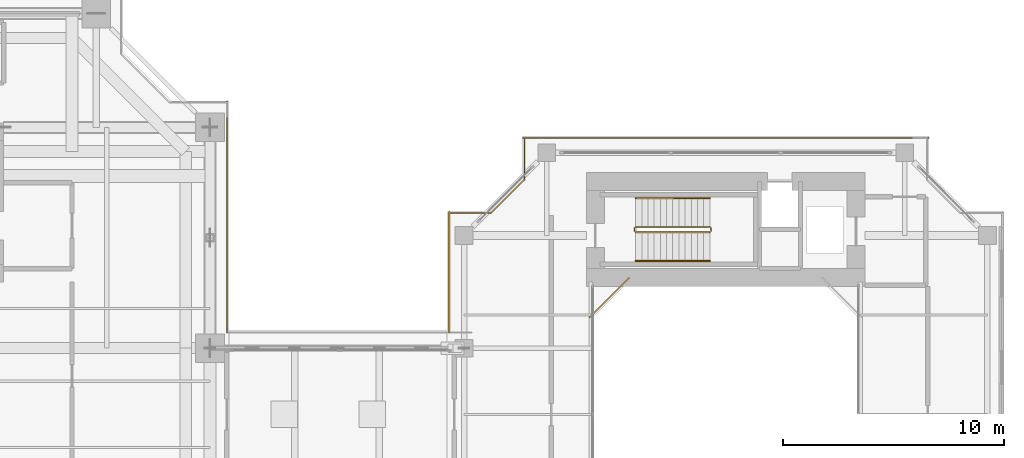
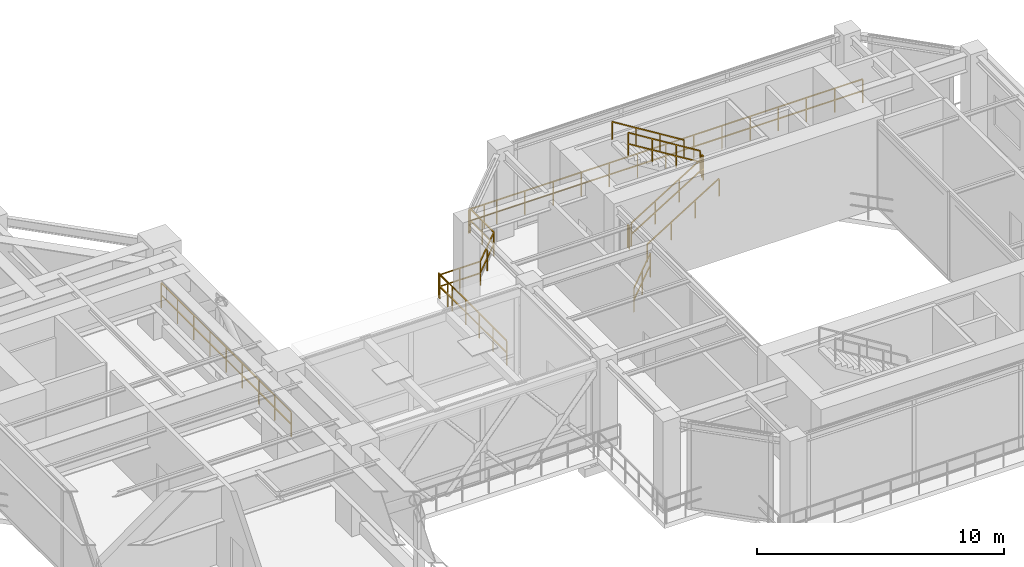
# One storey, part 24 of 25: 11 railings.
"""IFC4 building model written with IfcOpenShell, lengths in metres."""

from ifc_helpers import new_model, si_unit, direction, frame, origin, origin_2d, place, context, subcontext, project, spatial, rectangle, extrude, material, type_object, element, save


model = new_model("IFC4")

# Units and contexts
model_context = context("Model", 3, precision=1e-05, world=origin(), true_north=direction((0.0, 1.0)))
body_context = subcontext(model_context, "Body", "Model", "MODEL_VIEW")
ifc_project = project(units=[si_unit("LENGTHUNIT", "METRE"), si_unit("AREAUNIT", "SQUARE_METRE"), si_unit("VOLUMEUNIT", "CUBIC_METRE"), si_unit("PLANEANGLEUNIT", "RADIAN"), si_unit("MASSUNIT", "GRAM", prefix="KILO"), si_unit("THERMODYNAMICTEMPERATUREUNIT", "KELVIN"), si_unit("POWERUNIT", "WATT")], contexts=[model_context])

# Site, building, storey
site_placement = place(None, origin())
site = spatial("IfcSite", under=ifc_project, at=site_placement, CompositionType="ELEMENT")
building_placement = place(site_placement, origin())
building = spatial("IfcBuilding", under=site, at=building_placement, Name="Qiaomeng Ring Towers", CompositionType="ELEMENT")
storey_placement = place(building_placement, frame((0.0, 0.0, 92.5)))
storey = spatial("IfcBuildingStorey", under=building, at=storey_placement, Name="L26", CompositionType="ELEMENT", Elevation=92.5)

# Railings
ifc_material_1 = material(Name="Low-E pale-green laminated safety glass", Category="glass")
railing_type_1 = type_object("IfcRailingType", Name="ARC-RL-BAL1", PredefinedType="BALUSTRADE", material=ifc_material_1)
railing_1_placement = place(storey_placement, frame((56.1201171875, 29.179931640625, 0.0)))
element("IfcRailing", 1, at=railing_1_placement, inside=storey, type_object=railing_type_1, Name="L26 Balustrade ARC-BAL-WELL2-L26-3", PredefinedType="BALUSTRADE", context=body_context, shape_type="SweptSolid", body=[
    extrude(rectangle(XDim=0.048095703125, YDim=0.048095703125, at=origin_2d()), frame((0.0, 0.0, 1.17578125), z_axis=(-0.707106781187, -0.707106781187, 0.0), x_axis=(0.707106781187, -0.707106781187, 0.0)), (0.0, 0.0, 1.0), 2.545654296875),
    extrude(rectangle(XDim=0.048095703125, YDim=0.048095703125, at=origin_2d()), frame((0.0, 0.0, 0.60009765625), z_axis=(-0.707106781187, -0.707106781187, 0.0), x_axis=(0.707106781187, -0.707106781187, 0.0)), (0.0, 0.0, 1.0), 2.545654296875),
    extrude(rectangle(XDim=0.0419921875, YDim=0.0419921875, at=origin_2d()), origin(), (0.0, 0.0, 1.0), 1.15185546875),
    extrude(rectangle(XDim=0.0419921875, YDim=0.0419921875, at=origin_2d()), frame((-0.89990234375, -0.89990234375, 0.0)), (0.0, 0.0, 1.0), 1.15185546875),
    extrude(rectangle(XDim=0.0419921875, YDim=0.0419921875, at=origin_2d()), frame((-1.800048828125, -1.800048828125, 0.0)), (0.0, 0.0, 1.0), 1.15185546875),
])
railing_2_placement = place(storey_placement, frame((52.030029296875, 35.52001953125, 0.0)))
element("IfcRailing", 2, at=railing_2_placement, inside=storey, type_object=railing_type_1, Name="L26 Balustrade ARC-BAL-NOTCH2-L26-NW", PredefinedType="BALUSTRADE", context=body_context, shape_type="SweptSolid", body=[
    extrude(rectangle(XDim=0.048095703125, YDim=0.048095703125, at=origin_2d()), frame((0.0, 0.0, 1.17578125), z_axis=(-1.0, 0.0, 0.0), x_axis=(0.0, -1.0, 0.0)), (0.0, 0.0, 1.0), 0.650146484375),
    extrude(rectangle(XDim=0.048095703125, YDim=0.048095703125, at=origin_2d()), frame((0.0, 0.0, 0.60009765625), z_axis=(-1.0, 0.0, 0.0), x_axis=(0.0, -1.0, 0.0)), (0.0, 0.0, 1.0), 0.650146484375),
    extrude(rectangle(XDim=0.048095703125, YDim=0.048095703125, at=origin_2d()), frame((-0.650146484375, 0.0, 1.17578125), z_axis=(0.0, -1.0, 0.0), x_axis=(1.0, 0.0, 0.0)), (0.0, 0.0, 1.0), 1.89990234375),
    extrude(rectangle(XDim=0.048095703125, YDim=0.048095703125, at=origin_2d()), frame((-0.650146484375, 0.0, 0.60009765625), z_axis=(0.0, -1.0, 0.0), x_axis=(1.0, 0.0, 0.0)), (0.0, 0.0, 1.0), 1.89990234375),
    extrude(rectangle(XDim=0.048095703125, YDim=0.048095703125, at=origin_2d()), frame((-0.650146484375, -1.89990234375, 1.17578125), z_axis=(-0.707106781187, -0.707106781187, 0.0), x_axis=(0.707106781187, -0.707106781187, 0.0)), (0.0, 0.0, 1.0), 2.121337890625),
    extrude(rectangle(XDim=0.048095703125, YDim=0.048095703125, at=origin_2d()), frame((-0.650146484375, -1.89990234375, 0.60009765625), z_axis=(-0.707106781187, -0.707106781187, 0.0), x_axis=(0.707106781187, -0.707106781187, 0.0)), (0.0, 0.0, 1.0), 2.121337890625),
    extrude(rectangle(XDim=0.048095703125, YDim=0.048095703125, at=origin_2d()), frame((-2.150146484375, -3.39990234375, 1.17578125), z_axis=(-1.0, 0.0, 0.0), x_axis=(0.0, -1.0, 0.0)), (0.0, 0.0, 1.0), 1.89990234375),
    extrude(rectangle(XDim=0.048095703125, YDim=0.048095703125, at=origin_2d()), frame((-2.150146484375, -3.39990234375, 0.60009765625), z_axis=(-1.0, 0.0, 0.0), x_axis=(0.0, -1.0, 0.0)), (0.0, 0.0, 1.0), 1.89990234375),
    extrude(rectangle(XDim=0.048095703125, YDim=0.048095703125, at=origin_2d()), frame((-4.050048828125, -3.39990234375, 1.17578125), z_axis=(0.0, -1.0, 0.0), x_axis=(1.0, 0.0, 0.0)), (0.0, 0.0, 1.0), 0.650146484375),
    extrude(rectangle(XDim=0.048095703125, YDim=0.048095703125, at=origin_2d()), frame((-4.050048828125, -3.39990234375, 0.60009765625), z_axis=(0.0, -1.0, 0.0), x_axis=(1.0, 0.0, 0.0)), (0.0, 0.0, 1.0), 0.650146484375),
    extrude(rectangle(XDim=0.0419921875, YDim=0.0419921875, at=origin_2d()), origin(), (0.0, 0.0, 1.0), 1.15185546875),
    extrude(rectangle(XDim=0.0419921875, YDim=0.0419921875, at=origin_2d()), frame((-0.650146484375, 0.0, 0.0)), (0.0, 0.0, 1.0), 1.15185546875),
    extrude(rectangle(XDim=0.0419921875, YDim=0.0419921875, at=origin_2d()), frame((-0.650146484375, -0.949951171875, 0.0)), (0.0, 0.0, 1.0), 1.15185546875),
    extrude(rectangle(XDim=0.0419921875, YDim=0.0419921875, at=origin_2d()), frame((-0.650146484375, -1.89990234375, 0.0)), (0.0, 0.0, 1.0), 1.15185546875),
    extrude(rectangle(XDim=0.0419921875, YDim=0.0419921875, at=origin_2d()), frame((-1.400146484375, -2.64990234375, 0.0)), (0.0, 0.0, 1.0), 1.15185546875),
    extrude(rectangle(XDim=0.0419921875, YDim=0.0419921875, at=origin_2d()), frame((-2.150146484375, -3.39990234375, 0.0)), (0.0, 0.0, 1.0), 1.15185546875),
    extrude(rectangle(XDim=0.0419921875, YDim=0.0419921875, at=origin_2d()), frame((-3.10009765625, -3.39990234375, 0.0)), (0.0, 0.0, 1.0), 1.15185546875),
    extrude(rectangle(XDim=0.0419921875, YDim=0.0419921875, at=origin_2d()), frame((-4.050048828125, -3.39990234375, 0.0)), (0.0, 0.0, 1.0), 1.15185546875),
    extrude(rectangle(XDim=0.0419921875, YDim=0.0419921875, at=origin_2d()), frame((-4.050048828125, -4.050048828125, 0.0)), (0.0, 0.0, 1.0), 1.15185546875),
])
railing_3_placement = place(storey_placement, frame((51.300048828125, 35.52001953125, 0.0)))
element("IfcRailing", 3, at=railing_3_placement, inside=storey, type_object=railing_type_1, Name="L26 Balustrade ARC-BAL-T2N-L26", PredefinedType="BALUSTRADE", context=body_context, shape_type="SweptSolid", body=[
    extrude(rectangle(XDim=0.048095703125, YDim=0.048095703125, at=origin_2d()), frame((0.0, 0.0, 1.17578125), z_axis=(1.0, 0.0, 0.0), x_axis=(0.0, 1.0, 0.0)), (0.0, 0.0, 1.0), 18.39990234375),
    extrude(rectangle(XDim=0.048095703125, YDim=0.048095703125, at=origin_2d()), frame((0.0, 0.0, 0.60009765625), z_axis=(1.0, 0.0, 0.0), x_axis=(0.0, 1.0, 0.0)), (0.0, 0.0, 1.0), 18.39990234375),
    extrude(rectangle(XDim=0.0419921875, YDim=0.0419921875, at=origin_2d()), origin(), (0.0, 0.0, 1.0), 1.15185546875),
    extrude(rectangle(XDim=0.0419921875, YDim=0.0419921875, at=origin_2d()), frame((1.314208984375, 0.0, 0.0)), (0.0, 0.0, 1.0), 1.15185546875),
    extrude(rectangle(XDim=0.0419921875, YDim=0.0419921875, at=origin_2d()), frame((2.628662109375, 0.0, 0.0)), (0.0, 0.0, 1.0), 1.15185546875),
    extrude(rectangle(XDim=0.0419921875, YDim=0.0419921875, at=origin_2d()), frame((3.94287109375, 0.0, 0.0)), (0.0, 0.0, 1.0), 1.15185546875),
    extrude(rectangle(XDim=0.0419921875, YDim=0.0419921875, at=origin_2d()), frame((5.257080078125, 0.0, 0.0)), (0.0, 0.0, 1.0), 1.15185546875),
    extrude(rectangle(XDim=0.0419921875, YDim=0.0419921875, at=origin_2d()), frame((6.5712890625, 0.0, 0.0)), (0.0, 0.0, 1.0), 1.15185546875),
    extrude(rectangle(XDim=0.0419921875, YDim=0.0419921875, at=origin_2d()), frame((7.8857421875, 0.0, 0.0)), (0.0, 0.0, 1.0), 1.15185546875),
    extrude(rectangle(XDim=0.0419921875, YDim=0.0419921875, at=origin_2d()), frame((9.199951171875, 0.0, 0.0)), (0.0, 0.0, 1.0), 1.15185546875),
    extrude(rectangle(XDim=0.0419921875, YDim=0.0419921875, at=origin_2d()), frame((10.51416015625, 0.0, 0.0)), (0.0, 0.0, 1.0), 1.15185546875),
    extrude(rectangle(XDim=0.0419921875, YDim=0.0419921875, at=origin_2d()), frame((11.82861328125, 0.0, 0.0)), (0.0, 0.0, 1.0), 1.15185546875),
    extrude(rectangle(XDim=0.0419921875, YDim=0.0419921875, at=origin_2d()), frame((13.142822265625, 0.0, 0.0)), (0.0, 0.0, 1.0), 1.15185546875),
    extrude(rectangle(XDim=0.0419921875, YDim=0.0419921875, at=origin_2d()), frame((14.45703125, 0.0, 0.0)), (0.0, 0.0, 1.0), 1.15185546875),
    extrude(rectangle(XDim=0.0419921875, YDim=0.0419921875, at=origin_2d()), frame((15.771240234375, 0.0, 0.0)), (0.0, 0.0, 1.0), 1.15185546875),
    extrude(rectangle(XDim=0.0419921875, YDim=0.0419921875, at=origin_2d()), frame((17.085693359375, 0.0, 0.0)), (0.0, 0.0, 1.0), 1.15185546875),
    extrude(rectangle(XDim=0.0419921875, YDim=0.0419921875, at=origin_2d()), frame((18.39990234375, 0.0, 0.0)), (0.0, 0.0, 1.0), 1.15185546875),
])
ifc_material_2 = material(Name="Stainless steel 316", Category="steel")
railing_type_2 = type_object("IfcRailingType", Name="ARC-RL-BAL2", PredefinedType="BALUSTRADE", material=ifc_material_2)
railing_4_placement = place(storey_placement, frame((37.919921875, 26.699951171875, 0.0)))
element("IfcRailing", 4, at=railing_4_placement, inside=storey, type_object=railing_type_2, Name="L26 Balustrade ARC-BAL-REF-EN-L26", PredefinedType="BALUSTRADE", context=body_context, shape_type="SweptSolid", body=[
    extrude(rectangle(XDim=0.048095703125, YDim=0.048095703125, at=origin_2d()), frame((0.0, 0.0, 1.22607421875), z_axis=(0.0, 1.0, 0.0), x_axis=(-1.0, 0.0, 0.0)), (0.0, 0.0, 1.0), 10.5),
    extrude(rectangle(XDim=0.048095703125, YDim=0.048095703125, at=origin_2d()), frame((0.0, 0.0, 0.625), z_axis=(0.0, 1.0, 0.0), x_axis=(-1.0, 0.0, 0.0)), (0.0, 0.0, 1.0), 10.5),
    extrude(rectangle(XDim=0.0419921875, YDim=0.0419921875, at=origin_2d()), origin(), (0.0, 0.0, 1.0), 1.201904296875),
    extrude(rectangle(XDim=0.0419921875, YDim=0.0419921875, at=origin_2d()), frame((0.0, 1.3125, 0.0)), (0.0, 0.0, 1.0), 1.201904296875),
    extrude(rectangle(XDim=0.0419921875, YDim=0.0419921875, at=origin_2d()), frame((0.0, 2.625, 0.0)), (0.0, 0.0, 1.0), 1.201904296875),
    extrude(rectangle(XDim=0.0419921875, YDim=0.0419921875, at=origin_2d()), frame((0.0, 3.9375, 0.0)), (0.0, 0.0, 1.0), 1.201904296875),
    extrude(rectangle(XDim=0.0419921875, YDim=0.0419921875, at=origin_2d()), frame((0.0, 5.25, 0.0)), (0.0, 0.0, 1.0), 1.201904296875),
    extrude(rectangle(XDim=0.0419921875, YDim=0.0419921875, at=origin_2d()), frame((0.0, 6.5625, 0.0)), (0.0, 0.0, 1.0), 1.201904296875),
    extrude(rectangle(XDim=0.0419921875, YDim=0.0419921875, at=origin_2d()), frame((0.0, 7.875, 0.0)), (0.0, 0.0, 1.0), 1.201904296875),
    extrude(rectangle(XDim=0.0419921875, YDim=0.0419921875, at=origin_2d()), frame((0.0, 9.1875, 0.0)), (0.0, 0.0, 1.0), 1.201904296875),
    extrude(rectangle(XDim=0.0419921875, YDim=0.0419921875, at=origin_2d()), frame((0.0, 10.5, 0.0)), (0.0, 0.0, 1.0), 1.201904296875),
])
railing_5_placement = place(storey_placement, frame((47.97998046875, 26.699951171875, 0.0)))
element("IfcRailing", 5, at=railing_5_placement, inside=storey, type_object=railing_type_2, Name="L26 Balustrade ARC-BAL-T2WN-L26", PredefinedType="BALUSTRADE", context=body_context, shape_type="SweptSolid", body=[
    extrude(rectangle(XDim=0.048095703125, YDim=0.048095703125, at=origin_2d()), frame((0.0, 0.0, 1.22607421875), z_axis=(0.0, 1.0, 0.0), x_axis=(-1.0, 0.0, 0.0)), (0.0, 0.0, 1.0), 5.5),
    extrude(rectangle(XDim=0.048095703125, YDim=0.048095703125, at=origin_2d()), frame((0.0, 0.0, 0.625), z_axis=(0.0, 1.0, 0.0), x_axis=(-1.0, 0.0, 0.0)), (0.0, 0.0, 1.0), 5.5),
    extrude(rectangle(XDim=0.0419921875, YDim=0.0419921875, at=origin_2d()), origin(), (0.0, 0.0, 1.0), 1.201904296875),
    extrude(rectangle(XDim=0.0419921875, YDim=0.0419921875, at=origin_2d()), frame((0.0, 1.10009765625, 0.0)), (0.0, 0.0, 1.0), 1.201904296875),
    extrude(rectangle(XDim=0.0419921875, YDim=0.0419921875, at=origin_2d()), frame((0.0, 2.199951171875, 0.0)), (0.0, 0.0, 1.0), 1.201904296875),
    extrude(rectangle(XDim=0.0419921875, YDim=0.0419921875, at=origin_2d()), frame((0.0, 3.300048828125, 0.0)), (0.0, 0.0, 1.0), 1.201904296875),
    extrude(rectangle(XDim=0.0419921875, YDim=0.0419921875, at=origin_2d()), frame((0.0, 4.39990234375, 0.0)), (0.0, 0.0, 1.0), 1.201904296875),
    extrude(rectangle(XDim=0.0419921875, YDim=0.0419921875, at=origin_2d()), frame((0.0, 5.5, 0.0)), (0.0, 0.0, 1.0), 1.201904296875),
])
ifc_material_3 = material(Name="Galvanised steel", Category="steel")
railing_type_3 = type_object("IfcRailingType", Name="ARC-RL-GUARD", PredefinedType="GUARDRAIL", material=ifc_material_3)
railing_6_placement = place(storey_placement, frame((56.419921875, 31.25, 0.173095703125)))
element("IfcRailing", 6, at=railing_6_placement, inside=storey, type_object=railing_type_3, Name="L26 ST5 stair guard 1", PredefinedType="GUARDRAIL", context=body_context, shape_type="SweptSolid", body=[
    extrude(rectangle(XDim=0.048095703125, YDim=0.048095703125, at=origin_2d()), frame((0.0, 0.0, 1.1259765625), z_axis=(0.850623216509, 0.0, 0.525775754039), x_axis=(0.0, 1.0, 0.0)), (0.0, 0.0, 1.0), 3.9501953125),
    extrude(rectangle(XDim=0.048095703125, YDim=0.048095703125, at=origin_2d()), frame((0.0, 0.0, 0.574951171875), z_axis=(0.850623216509, 0.0, 0.525775754039), x_axis=(0.0, 1.0, 0.0)), (0.0, 0.0, 1.0), 3.9501953125),
    extrude(rectangle(XDim=0.0419921875, YDim=0.0419921875, at=origin_2d()), origin(), (0.0, 0.0, 1.0), 1.101806640625),
    extrude(rectangle(XDim=0.0419921875, YDim=0.0419921875, at=origin_2d()), frame((1.1201171875, 0.0, 0.6923828125)), (0.0, 0.0, 1.0), 1.101806640625),
    extrude(rectangle(XDim=0.0419921875, YDim=0.0419921875, at=origin_2d()), frame((2.239990234375, 0.0, 1.384521484375)), (0.0, 0.0, 1.0), 1.101806640625),
    extrude(rectangle(XDim=0.0419921875, YDim=0.0419921875, at=origin_2d()), frame((3.360107421875, 0.0, 2.076904296875)), (0.0, 0.0, 1.0), 1.101806640625),
])
railing_7_placement = place(storey_placement, frame((59.830078125, 31.300048828125, 2.25)))
element("IfcRailing", 7, at=railing_7_placement, inside=storey, type_object=railing_type_3, Name="L26 ST5 stair guard 2", PredefinedType="GUARDRAIL", context=body_context, shape_type="SweptSolid", body=[
    extrude(rectangle(XDim=0.048095703125, YDim=0.048095703125, at=origin_2d()), frame((0.0, 0.0, 1.1259765625), z_axis=(0.0, 1.0, 0.0), x_axis=(-1.0, 0.0, 0.0)), (0.0, 0.0, 1.0), 0.139892578125),
    extrude(rectangle(XDim=0.048095703125, YDim=0.048095703125, at=origin_2d()), frame((0.0, 0.0, 0.574951171875), z_axis=(0.0, 1.0, 0.0), x_axis=(-1.0, 0.0, 0.0)), (0.0, 0.0, 1.0), 0.139892578125),
    extrude(rectangle(XDim=0.0419921875, YDim=0.0419921875, at=origin_2d()), origin(), (0.0, 0.0, 1.0), 1.101806640625),
    extrude(rectangle(XDim=0.0419921875, YDim=0.0419921875, at=origin_2d()), frame((0.0, 0.139892578125, 0.0)), (0.0, 0.0, 1.0), 1.101806640625),
])
railing_8_placement = place(storey_placement, frame((59.780029296875, 31.489990234375, 2.423095703125)))
element("IfcRailing", 8, at=railing_8_placement, inside=storey, type_object=railing_type_3, Name="L26 ST5 stair guard 3", PredefinedType="GUARDRAIL", context=body_context, shape_type="SweptSolid", body=[
    extrude(rectangle(XDim=0.048095703125, YDim=0.048095703125, at=origin_2d()), frame((0.0, 0.0, 1.1259765625), z_axis=(-0.850623216509, 0.0, 0.525775754039), x_axis=(0.0, -1.0, 0.0)), (0.0, 0.0, 1.0), 3.9501953125),
    extrude(rectangle(XDim=0.048095703125, YDim=0.048095703125, at=origin_2d()), frame((0.0, 0.0, 0.574951171875), z_axis=(-0.850623216509, 0.0, 0.525775754039), x_axis=(0.0, -1.0, 0.0)), (0.0, 0.0, 1.0), 3.9501953125),
    extrude(rectangle(XDim=0.0419921875, YDim=0.0419921875, at=origin_2d()), origin(), (0.0, 0.0, 1.0), 1.101806640625),
    extrude(rectangle(XDim=0.0419921875, YDim=0.0419921875, at=origin_2d()), frame((-1.1201171875, 0.0, 0.6923828125)), (0.0, 0.0, 1.0), 1.101806640625),
    extrude(rectangle(XDim=0.0419921875, YDim=0.0419921875, at=origin_2d()), frame((-2.239990234375, 0.0, 1.384521484375)), (0.0, 0.0, 1.0), 1.101806640625),
    extrude(rectangle(XDim=0.0419921875, YDim=0.0419921875, at=origin_2d()), frame((-3.360107421875, 0.0, 2.076904296875)), (0.0, 0.0, 1.0), 1.101806640625),
])
railing_9_placement = place(storey_placement, frame((56.3701171875, 31.300048828125, 0.0)))
element("IfcRailing", 9, at=railing_9_placement, inside=storey, type_object=railing_type_3, Name="L26 ST5 stair guard 4", PredefinedType="GUARDRAIL", context=body_context, shape_type="SweptSolid", body=[
    extrude(rectangle(XDim=0.048095703125, YDim=0.048095703125, at=origin_2d()), frame((0.0, 0.0, 1.1259765625), z_axis=(0.0, 1.0, 0.0), x_axis=(-1.0, 0.0, 0.0)), (0.0, 0.0, 1.0), 0.139892578125),
    extrude(rectangle(XDim=0.048095703125, YDim=0.048095703125, at=origin_2d()), frame((0.0, 0.0, 0.574951171875), z_axis=(0.0, 1.0, 0.0), x_axis=(-1.0, 0.0, 0.0)), (0.0, 0.0, 1.0), 0.139892578125),
    extrude(rectangle(XDim=0.0419921875, YDim=0.0419921875, at=origin_2d()), origin(), (0.0, 0.0, 1.0), 1.101806640625),
    extrude(rectangle(XDim=0.0419921875, YDim=0.0419921875, at=origin_2d()), frame((0.0, 0.139892578125, 0.0)), (0.0, 0.0, 1.0), 1.101806640625),
])
railing_type_4 = type_object("IfcRailingType", Name="ARC-RL-HAND", PredefinedType="HANDRAIL", material=ifc_material_2)
railing_10_placement = place(storey_placement, frame((56.419921875, 29.949951171875, 0.173095703125)))
element("IfcRailing", 10, at=railing_10_placement, inside=storey, type_object=railing_type_4, Name="L26 ST5 stair handrail 1", PredefinedType="HANDRAIL", context=body_context, shape_type="SweptSolid", body=[
    extrude(rectangle(XDim=0.048095703125, YDim=0.048095703125, at=origin_2d()), frame((0.0, 0.0, 0.8759765625), z_axis=(0.850623216509, 0.0, 0.525775754039), x_axis=(0.0, 1.0, 0.0)), (0.0, 0.0, 1.0), 3.9501953125),
    extrude(rectangle(XDim=0.0419921875, YDim=0.0419921875, at=origin_2d()), origin(), (0.0, 0.0, 1.0), 0.851806640625),
    extrude(rectangle(XDim=0.0419921875, YDim=0.0419921875, at=origin_2d()), frame((1.1201171875, 0.0, 0.6923828125)), (0.0, 0.0, 1.0), 0.851806640625),
    extrude(rectangle(XDim=0.0419921875, YDim=0.0419921875, at=origin_2d()), frame((2.239990234375, 0.0, 1.384521484375)), (0.0, 0.0, 1.0), 0.851806640625),
    extrude(rectangle(XDim=0.0419921875, YDim=0.0419921875, at=origin_2d()), frame((3.360107421875, 0.0, 2.076904296875)), (0.0, 0.0, 1.0), 0.851806640625),
])
railing_11_placement = place(storey_placement, frame((59.780029296875, 32.7900390625, 2.423095703125)))
element("IfcRailing", 11, at=railing_11_placement, inside=storey, type_object=railing_type_4, Name="L26 ST5 stair handrail 2", PredefinedType="HANDRAIL", context=body_context, shape_type="SweptSolid", body=[
    extrude(rectangle(XDim=0.048095703125, YDim=0.048095703125, at=origin_2d()), frame((0.0, 0.0, 0.8759765625), z_axis=(-0.850623216509, 0.0, 0.525775754039), x_axis=(0.0, -1.0, 0.0)), (0.0, 0.0, 1.0), 3.9501953125),
    extrude(rectangle(XDim=0.0419921875, YDim=0.0419921875, at=origin_2d()), origin(), (0.0, 0.0, 1.0), 0.851806640625),
    extrude(rectangle(XDim=0.0419921875, YDim=0.0419921875, at=origin_2d()), frame((-1.1201171875, 0.0, 0.6923828125)), (0.0, 0.0, 1.0), 0.851806640625),
    extrude(rectangle(XDim=0.0419921875, YDim=0.0419921875, at=origin_2d()), frame((-2.239990234375, 0.0, 1.384521484375)), (0.0, 0.0, 1.0), 0.851806640625),
    extrude(rectangle(XDim=0.0419921875, YDim=0.0419921875, at=origin_2d()), frame((-3.360107421875, 0.0, 2.076904296875)), (0.0, 0.0, 1.0), 0.851806640625),
])

save(model, "model.ifc")
